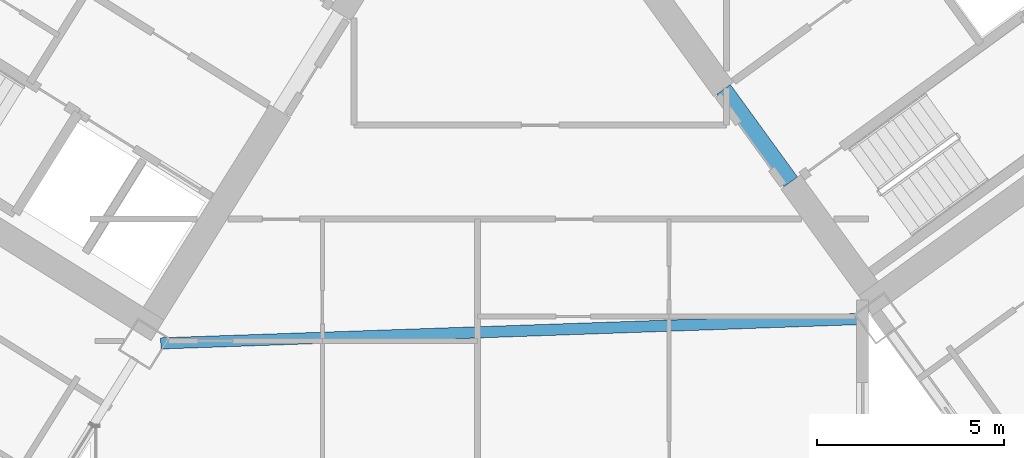
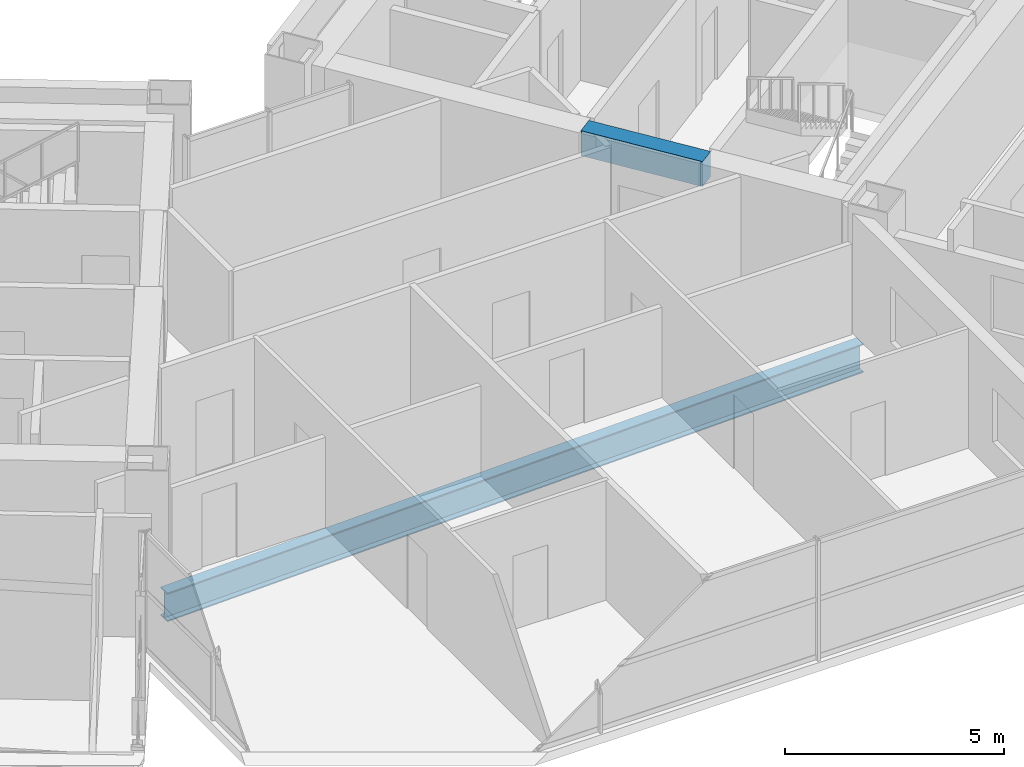
# One storey, part 8 of 24: 2 beams.
"""IFC4 building model written with IfcOpenShell, lengths in metres."""

import ifcopenshell
import ifcopenshell.guid

model = None  # the IFC model being written
_history = None  # IfcOwnerHistory: only IFC2X3 demands one
_inside = {}  # id of a spatial element -> (the spatial element, [elements in it])
_under = {}  # id of a project, library or spatial element -> (it, [spatial elements below it])
_declared = {}  # id of a project -> (the project, [libraries it declares])
_typed = {}  # id of a type object -> (the type object, [elements of that type])
_made_of = {}  # id of a material, layer set ... -> (it, [elements and type objects made of it])


def new_model(schema):
    """Start an empty IFC model of exactly this schema.

    Asked for "IFC4X3", IfcOpenShell would pick the latest addendum, in which some entities
    have other attributes; the version numbers below select the first issue.
    IFC2X3 requires an IfcOwnerHistory on every rooted entity: one is made here for all.
    """
    global model, _history
    if schema == "IFC4X3":
        model = ifcopenshell.file(schema_version=(4, 3, 0, 0))
    else:
        model = ifcopenshell.file(schema=schema)
    _inside.clear()
    _under.clear()
    _declared.clear()
    _typed.clear()
    _made_of.clear()
    _history = None
    if model.schema == "IFC2X3":
        org = make("IfcOrganization", Name="unknown")
        user = make(
            "IfcPersonAndOrganization",
            ThePerson=make("IfcPerson", FamilyName="unknown"),
            TheOrganization=org,
        )
        app = make(
            "IfcApplication",
            ApplicationDeveloper=org,
            Version="unknown",
            ApplicationFullName="unknown",
            ApplicationIdentifier="unknown",
        )
        _history = make(
            "IfcOwnerHistory",
            OwningUser=user,
            OwningApplication=app,
            ChangeAction="ADDED",
            CreationDate=0,
        )
    return model


def make(cls, **values):
    """One entity of the class cls with the attributes given. An attribute that is None is left unset."""
    return model.create_entity(
        cls, **{name: value for name, value in values.items() if value is not None}
    )


def rooted(cls, **values):
    """An entity with a GlobalId (a new one), such as an element, a storey or a relation."""
    return make(cls, GlobalId=ifcopenshell.guid.new(), OwnerHistory=_history, **values)


def si_unit(unit_type, name, prefix=None):
    """IfcSIUnit, for example si_unit("LENGTHUNIT", "METRE", prefix="MILLI")."""
    return make("IfcSIUnit", UnitType=unit_type, Prefix=prefix, Name=name)


def assignment(units):
    """IfcUnitAssignment: the units of a project."""
    return None if units is None else make("IfcUnitAssignment", Units=units)


def point(xyz):
    """IfcCartesianPoint."""
    return None if xyz is None else make("IfcCartesianPoint", Coordinates=xyz)


def direction(xyz):
    """IfcDirection."""
    return None if xyz is None else make("IfcDirection", DirectionRatios=xyz)


def frame(location, z_axis=None, x_axis=None):
    """IfcAxis2Placement3D, a coordinate frame: its origin and axes. An axis left out is left unset."""
    return make(
        "IfcAxis2Placement3D",
        Location=point(location),
        Axis=direction(z_axis),
        RefDirection=direction(x_axis),
    )


def frame_2d(location, x_axis=None):
    """IfcAxis2Placement2D, a coordinate frame in the plane: its origin and x axis."""
    return make(
        "IfcAxis2Placement2D", Location=point(location), RefDirection=direction(x_axis)
    )


def origin():
    """The frame at (0, 0, 0) with its axes left unset."""
    return frame((0.0, 0.0, 0.0))


def origin_2d():
    """The frame at (0, 0) in the plane with its x axis left unset."""
    return frame_2d((0.0, 0.0))


def place(relative_to, where):
    """IfcLocalPlacement: puts the frame where relative to a parent placement (None: the world)."""
    return make(
        "IfcLocalPlacement", PlacementRelTo=relative_to, RelativePlacement=where
    )


def context(
    kind, dimensions, precision=None, world=None, true_north=None, identifier=None
):
    """IfcGeometricRepresentationContext, for example the 3D "Model" context."""
    return make(
        "IfcGeometricRepresentationContext",
        ContextIdentifier=identifier,
        ContextType=kind,
        CoordinateSpaceDimension=dimensions,
        Precision=precision,
        WorldCoordinateSystem=world,
        TrueNorth=true_north,
    )


def subcontext(parent, identifier, kind, view, scale=None):
    """IfcGeometricRepresentationSubContext, for example "Body" below "Model"."""
    return make(
        "IfcGeometricRepresentationSubContext",
        ContextIdentifier=identifier,
        ContextType=kind,
        ParentContext=parent,
        TargetScale=scale,
        TargetView=view,
    )


def project(units=None, contexts=None):
    """IfcProject with its units and contexts."""
    return rooted(
        "IfcProject",
        Name="project",
        RepresentationContexts=contexts,
        UnitsInContext=assignment(units),
    )


def spatial(cls, under=None, at=None, **own):
    """A site, building, storey or space (cls), placed at a placement, below another one or the project."""
    s = rooted(cls, ObjectPlacement=at, **own)
    if under is not None:
        _under.setdefault(under.id(), (under, []))[1].append(s)
    return s


def profile(cls, at=None, kind="AREA", **sizes):
    """A parametric profile (cls). Its sizes go by their IFC names, for example OverallWidth=200.0."""
    return make(cls, ProfileType=kind, Position=at, **sizes)


def rectangle(**sizes):
    """IfcRectangleProfileDef."""
    return profile("IfcRectangleProfileDef", **sizes)


def i_section(**sizes):
    """IfcIShapeProfileDef."""
    return profile("IfcIShapeProfileDef", **sizes)


def extrude(swept, where, along, depth):
    """IfcExtrudedAreaSolid: the profile swept, set in the frame where, extruded along a direction by depth."""
    return make(
        "IfcExtrudedAreaSolid",
        SweptArea=swept,
        Position=where,
        ExtrudedDirection=direction(along),
        Depth=depth,
    )


def shape(context_of_items, identifier, shape_type, items):
    """IfcShapeRepresentation: the items that make up one representation, for example the "Body"."""
    return make(
        "IfcShapeRepresentation",
        ContextOfItems=context_of_items,
        RepresentationIdentifier=identifier,
        RepresentationType=shape_type,
        Items=items,
    )


def source(mapping_origin, context_of_items, identifier, shape_type, items):
    """IfcRepresentationMap: a shape defined once, which mapped items show again and again."""
    return make(
        "IfcRepresentationMap",
        MappingOrigin=mapping_origin,
        MappedRepresentation=shape(context_of_items, identifier, shape_type, items),
    )


def transform(
    local_origin,
    x_axis=None,
    y_axis=None,
    z_axis=None,
    scale=None,
    scale2=None,
    scale3=None,
    uniform=True,
):
    """IfcCartesianTransformationOperator3D, or its non-uniform kind. x_axis, y_axis, z_axis: its Axis1, 2, 3."""
    if uniform:
        return make(
            "IfcCartesianTransformationOperator3D",
            Axis1=direction(x_axis),
            Axis2=direction(y_axis),
            LocalOrigin=point(local_origin),
            Scale=scale,
            Axis3=direction(z_axis),
        )
    return make(
        "IfcCartesianTransformationOperator3DnonUniform",
        Axis1=direction(x_axis),
        Axis2=direction(y_axis),
        LocalOrigin=point(local_origin),
        Scale=scale,
        Axis3=direction(z_axis),
        Scale2=scale2,
        Scale3=scale3,
    )


def mapped(mapping_source, mapping_target):
    """IfcMappedItem: shows the shape of a source again, moved by a transform."""
    return make(
        "IfcMappedItem", MappingSource=mapping_source, MappingTarget=mapping_target
    )


def material(Name=None, Category=None):
    """IfcMaterial."""
    return make("IfcMaterial", Name=Name, Category=Category)


def material_profile(
    of_material, cross_section, Name=None, Category=None, Priority=None
):
    """IfcMaterialProfile: a cross section and its material."""
    return make(
        "IfcMaterialProfile",
        Name=Name,
        Material=of_material,
        Profile=cross_section,
        Priority=Priority,
        Category=Category,
    )


def profile_set(profiles, Name=None, composite=None):
    """IfcMaterialProfileSet."""
    return make(
        "IfcMaterialProfileSet",
        Name=Name,
        MaterialProfiles=profiles,
        CompositeProfile=composite,
    )


def made_of(thing, what):
    """Note that an element or type object is made of a material, layer set ...; save() writes the relation."""
    if what is not None:
        _made_of.setdefault(what.id(), (what, []))[1].append(thing)
    return thing


def type_object(cls, material=None, **own):
    """A type object (cls), such as IfcWallType, which elements share."""
    return made_of(rooted(cls, **own), material)


def element(
    cls,
    number,
    at=None,
    inside=None,
    cuts=None,
    type_object=None,
    material=None,
    context=None,
    identifier="Body",
    shape_type=None,
    held_by="IfcProductDefinitionShape",
    body=None,
    shapes=None,
    **own,
):
    """One element of the class cls, such as IfcWall. Its Tag is "e" and its number.

    at: its placement. inside: the storey or other place that contains it. cuts: it is an
    opening in that element (IfcRelVoidsElement). A single representation is given by context,
    identifier, shape_type and body (its items); several are given by shapes. held_by: the class
    of the entity that holds the representations. save() writes the other relations.
    """
    e = rooted(cls, Tag="e%d" % number, ObjectPlacement=at, **own)
    if body is not None:
        shapes = [shape(context, identifier, shape_type, body)]
    if shapes is not None:
        e.Representation = make(held_by, Representations=shapes)
    if inside is not None:
        _inside.setdefault(inside.id(), (inside, []))[1].append(e)
    if cuts is not None:
        rooted(
            "IfcRelVoidsElement", RelatingBuildingElement=cuts, RelatedOpeningElement=e
        )
    if type_object is not None:
        _typed.setdefault(type_object.id(), (type_object, []))[1].append(e)
    return made_of(e, material)


def aggregate(whole, parts):
    """IfcRelAggregates: a whole, such as a stair, and the parts it consists of."""
    return rooted("IfcRelAggregates", RelatingObject=whole, RelatedObjects=parts)


def save(model, path):
    """Write the relations noted so far, then the file.

    IfcRelAggregates (storeys below a building ...), IfcRelContainedInSpatialStructure (elements
    in a storey), IfcRelDefinesByType, IfcRelAssociatesMaterial and IfcRelDeclares: one each for
    every whole, place, type object, material and project.
    """
    for whole, parts in _under.values():
        aggregate(whole, parts)
    for where, things in _inside.values():
        rooted(
            "IfcRelContainedInSpatialStructure",
            RelatedElements=things,
            RelatingStructure=where,
        )
    for kind, things in _typed.values():
        rooted("IfcRelDefinesByType", RelatedObjects=things, RelatingType=kind)
    for what, things in _made_of.values():
        rooted("IfcRelAssociatesMaterial", RelatedObjects=things, RelatingMaterial=what)
    for by, libraries in _declared.values():
        rooted("IfcRelDeclares", RelatingContext=by, RelatedDefinitions=libraries)
    model.write(path)


model = new_model("IFC4")

# Units and contexts
model_context = context("Model", 3, precision=1e-05, world=origin(), true_north=direction((0.0, 1.0)))
body_context = subcontext(model_context, "Body", "Model", "MODEL_VIEW")
ifc_project = project(units=[si_unit("LENGTHUNIT", "METRE"), si_unit("AREAUNIT", "SQUARE_METRE"), si_unit("VOLUMEUNIT", "CUBIC_METRE"), si_unit("PLANEANGLEUNIT", "RADIAN"), si_unit("MASSUNIT", "GRAM", prefix="KILO")], contexts=[model_context])

# Site, building, storey
site_placement = place(None, origin())
site = spatial("IfcSite", under=ifc_project, at=site_placement, CompositionType="ELEMENT")
building_placement = place(site_placement, origin())
building = spatial("IfcBuilding", under=site, at=building_placement, Name="Tlacorven Tower", CompositionType="ELEMENT")
storey_placement = place(building_placement, frame((0.0, 0.0, 38.39990234375)))
storey = spatial("IfcBuildingStorey", under=building, at=storey_placement, Name="L09", CompositionType="ELEMENT", Elevation=38.39990234375)

# Beams
ifc_material_1 = material(Name="Concrete C60/75", Category="concrete")
ifc_material_profile_1 = material_profile(ifc_material_1, rectangle(XDim=0.449951171875, YDim=0.699951171875, at=origin_2d()), Name="RC 450X700")
ifc_profile_set_1 = profile_set([ifc_material_profile_1], Name="Concrete C60/75")
beam_type_1 = type_object("IfcBeamType", Name="BM-LNT-700", PredefinedType="LINTEL", material=ifc_profile_set_1)
shared_shape_1 = source(origin(), body_context, "Body", "SweptSolid", [
    extrude(rectangle(XDim=0.449951171875, YDim=0.699951171875, at=origin_2d()), origin(), (0.0, 0.0, 1.0), 3.050048828125),
])
beam_1_placement = place(storey_placement, frame((50.318359375, 16.416015625, 3.0), z_axis=(-0.587776590479, 0.80902328748, 0.0), x_axis=(-0.80902328748, -0.587776590479, 0.0)))
element("IfcBeam", 1, at=beam_1_placement, inside=storey, type_object=beam_type_1, Name="L09 E core coupling lintel beam E1", PredefinedType="LINTEL", context=body_context, shape_type="MappedRepresentation", body=[
    mapped(shared_shape_1, transform((0.0, 0.0, 0.0), scale=1.0)),
])
ifc_material_2 = material(Name="Steel S355J2", Category="steel")
ifc_material_profile_2 = material_profile(ifc_material_2, i_section(OverallWidth=0.300048828125, OverallDepth=0.800048828125, WebThickness=0.017578125, FlangeThickness=0.032958984375, at=origin_2d()), Name="HEB 800")
ifc_profile_set_2 = profile_set([ifc_material_profile_2], Name="Steel S355J2")
beam_type_2 = type_object("IfcBeamType", Name="BM-POD-800", PredefinedType="BEAM", material=ifc_profile_set_2)
shared_shape_2 = source(origin(), body_context, "Body", "SweptSolid", [
    extrude(i_section(OverallWidth=0.300048828125, OverallDepth=0.800048828125, WebThickness=0.017578125, FlangeThickness=0.032958984375, at=origin_2d()), origin(), (0.0, 0.0, 1.0), 18.771240234375),
])
beam_2_placement = place(storey_placement, frame((33.495849609375, 12.1025390625, -0.64990234375), z_axis=(0.999390514848, 0.034908434954, 0.0), x_axis=(-0.034908434954, 0.999390514848, 0.0)))
element("IfcBeam", 2, at=beam_2_placement, inside=storey, type_object=beam_type_2, Name="L09 Knuckle Link Girder 2", PredefinedType="BEAM", context=body_context, shape_type="MappedRepresentation", body=[
    mapped(shared_shape_2, transform((0.0, 0.0, 0.0), scale=1.0)),
])

save(model, "model.ifc")
